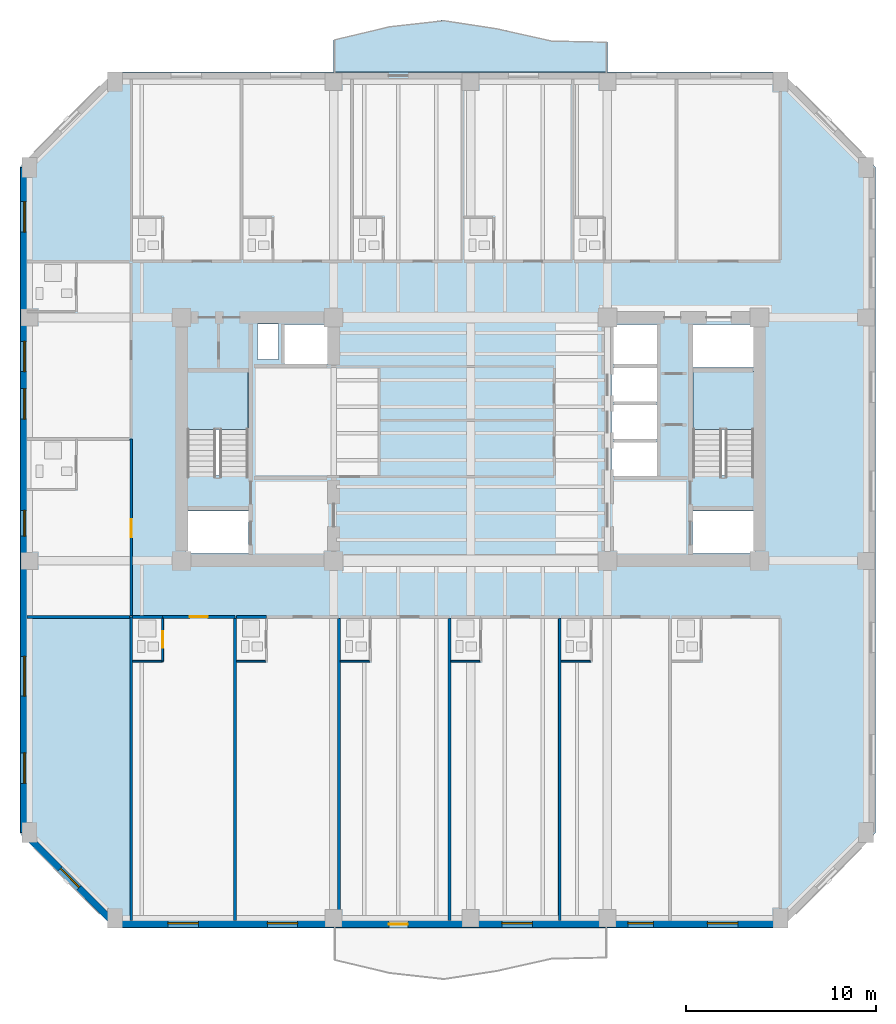
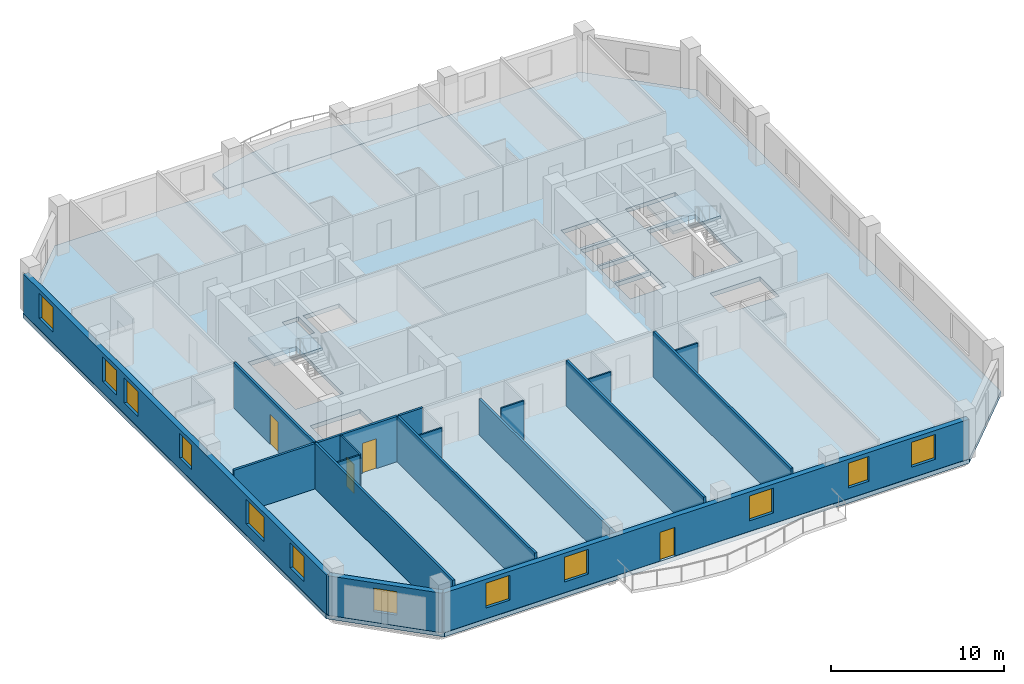
# One storey, part 2 of 11: 19 walls, 12 windows, 4 doors, 4 slabs, 16 openings, 2 elements without a shape of their own.
"""IFC4 building model written with IfcOpenShell, lengths in metres."""

from ifc_helpers import new_model, si_unit, direction, frame, frame_2d, origin, place, context, subcontext, project, spatial, polyline, rectangle, outline, extrude, material, layer, layer_set, type_object, element, fill, aggregate, save


model = new_model("IFC4")

# Units and contexts
model_context = context("Model", 3, precision=1e-05, world=origin(), true_north=direction((0.0, 1.0)))
body_context = subcontext(model_context, "Body", "Model", "MODEL_VIEW")
ifc_project = project(units=[si_unit("LENGTHUNIT", "METRE"), si_unit("AREAUNIT", "SQUARE_METRE"), si_unit("VOLUMEUNIT", "CUBIC_METRE"), si_unit("PLANEANGLEUNIT", "RADIAN"), si_unit("MASSUNIT", "GRAM", prefix="KILO")], contexts=[model_context])

# Site, building, storey
site_placement = place(None, origin())
site = spatial("IfcSite", under=ifc_project, at=site_placement, CompositionType="ELEMENT")
building_placement = place(site_placement, origin())
building = spatial("IfcBuilding", under=site, at=building_placement, Name="Kranthara Brick Stack", CompositionType="ELEMENT")
storey_placement = place(building_placement, frame((0.0, 0.0, 134.300048828125)))
storey = spatial("IfcBuildingStorey", under=building, at=storey_placement, Name="L33", CompositionType="ELEMENT", Elevation=134.300048828125)

# Slab
ifc_material_1 = material(Name="Concrete C45/55", Category="concrete")
ifc_layer_1 = layer(ifc_material_1, 0.219970703125)
ifc_layer_set_1 = layer_set([ifc_layer_1], Name="Concrete C45/55")
slab_type_1 = type_object("IfcSlabType", Name="SLB-BALC-220", PredefinedType="FLOOR", material=ifc_layer_set_1)
slab_1_placement = place(storey_placement, frame((0.0, 0.0, -0.219970703125)))
element("IfcSlab", 1, at=slab_1_placement, inside=storey, type_object=slab_type_1, Name="L33 North Rippling Balcony Slab", PredefinedType="FLOOR", context=body_context, shape_type="SweptSolid", body=[
    extrude(outline(polyline([(35.199951171875, 46.5), (20.800048828125, 46.5), (20.800048828125, 48.206787109375), (23.679931640625, 48.901123046875), (26.56005859375, 49.248046875), (29.43994140625, 48.8115234375), (32.320068359375, 48.140380859375), (35.199951171875, 48.07861328125), (35.199951171875, 46.5)])), origin(), (0.0, 0.0, 1.0), 0.219970703125),
])

# Stair, slab
ifc_material_2 = material(Name="Concrete C45/55", Category="concrete")
stair_type = type_object("IfcStairType", Name="ST-CORE-20R", PredefinedType="HALF_TURN_STAIR", material=ifc_material_2)
stair_1_placement = place(storey_placement, origin())
stair_1 = element("IfcStair", 2, at=stair_1_placement, inside=storey, type_object=stair_type, Name="L33 West Core Protected Exit Stair ST01", PredefinedType="HALF_TURN_STAIR")
ifc_material_3 = material(Name="Concrete C45/55", Category="concrete")
ifc_layer_2 = layer(ifc_material_3, 0.199951171875)
ifc_layer_set_2 = layer_set([ifc_layer_2], Name="Concrete C45/55")
slab_type_2 = type_object("IfcSlabType", Name="SLB-LANDING-200", PredefinedType="LANDING", material=ifc_layer_set_2)
slab_2_placement = place(storey_placement, frame((0.0, 0.0, 1.550048828125)))
slab_2 = element("IfcSlab", 3, at=slab_2_placement, type_object=slab_type_2, Name="ST01 landing 1", PredefinedType="LANDING", context=body_context, shape_type="SweptSolid", body=[
    extrude(outline(polyline([(16.300048828125, 27.719970703125), (16.300048828125, 30.75), (13.10009765625, 30.75), (13.10009765625, 27.719970703125), (16.300048828125, 27.719970703125)])), origin(), (0.0, 0.0, 1.0), 0.199951171875),
])
aggregate(stair_1, [slab_2])

stair_2_placement = place(storey_placement, origin())
stair_2 = element("IfcStair", 4, at=stair_2_placement, inside=storey, type_object=stair_type, Name="L33 East Core Protected Exit Stair ST02", PredefinedType="HALF_TURN_STAIR")
slab_3_placement = place(storey_placement, frame((0.0, 0.0, 1.550048828125)))
slab_3 = element("IfcSlab", 5, at=slab_3_placement, type_object=slab_type_2, Name="ST02 landing 1", PredefinedType="LANDING", context=body_context, shape_type="SweptSolid", body=[
    extrude(outline(polyline([(42.89990234375, 27.719970703125), (42.89990234375, 30.75), (39.699951171875, 30.75), (39.699951171875, 27.719970703125), (42.89990234375, 27.719970703125)])), origin(), (0.0, 0.0, 1.0), 0.199951171875),
])
aggregate(stair_2, [slab_3])

# Slab
ifc_material_4 = material(Name="Post-tensioned concrete C45/55", Category="concrete")
ifc_layer_3 = layer(ifc_material_4, 0.300048828125)
ifc_layer_set_3 = layer_set([ifc_layer_3], Name="Post-tensioned concrete C45/55")
slab_type_3 = type_object("IfcSlabType", Name="SLB-TWR-300", PredefinedType="FLOOR", material=ifc_layer_set_3)
slab_4_placement = place(storey_placement, frame((0.0, 0.0, -0.300048828125)))
element("IfcSlab", 6, at=slab_4_placement, inside=storey, type_object=slab_type_3, Name="L33 Structural Floor Plate", PredefinedType="FLOOR", context=body_context, shape_type="SweptSolid", body=[
    extrude(outline(polyline([(9.300048828125, 1.5), (44.300048828125, 1.5), (49.300048828125, 6.5), (49.300048828125, 41.5), (44.300048828125, 46.5), (9.300048828125, 46.5), (4.300048828125, 41.5), (4.300048828125, 6.5), (9.300048828125, 1.5)]), holes=[polyline([(13.10009765625, 25.280029296875), (16.300048828125, 25.280029296875), (16.300048828125, 30.75), (13.10009765625, 30.75), (13.10009765625, 25.280029296875)]), polyline([(39.699951171875, 25.280029296875), (42.89990234375, 25.280029296875), (42.89990234375, 30.75), (39.699951171875, 30.75), (39.699951171875, 25.280029296875)]), polyline([(13.0, 21.179931640625), (16.320068359375, 21.179931640625), (16.320068359375, 23.419921875), (13.0, 23.419921875), (13.0, 21.179931640625)]), polyline([(39.679931640625, 21.179931640625), (43.0, 21.179931640625), (43.0, 23.419921875), (39.679931640625, 23.419921875), (39.679931640625, 21.179931640625)]), polyline([(39.679931640625, 30.97998046875), (43.0, 30.97998046875), (43.0, 33.219970703125), (39.679931640625, 33.219970703125), (39.679931640625, 30.97998046875)]), polyline([(35.39990234375, 25.25), (37.800048828125, 25.25), (37.800048828125, 27.050048828125), (35.39990234375, 27.050048828125), (35.39990234375, 25.25)]), polyline([(35.39990234375, 27.199951171875), (37.800048828125, 27.199951171875), (37.800048828125, 29.0), (35.39990234375, 29.0), (35.39990234375, 27.199951171875)]), polyline([(35.39990234375, 29.14990234375), (37.800048828125, 29.14990234375), (37.800048828125, 30.949951171875), (35.39990234375, 30.949951171875), (35.39990234375, 29.14990234375)]), polyline([(18.199951171875, 31.14990234375), (20.60009765625, 31.14990234375), (20.60009765625, 33.219970703125), (18.199951171875, 33.219970703125), (18.199951171875, 31.14990234375)]), polyline([(35.39990234375, 31.14990234375), (37.800048828125, 31.14990234375), (37.800048828125, 33.219970703125), (35.39990234375, 33.219970703125), (35.39990234375, 31.14990234375)]), polyline([(16.800048828125, 31.39990234375), (17.89990234375, 31.39990234375), (17.89990234375, 33.25), (16.800048828125, 33.25), (16.800048828125, 31.39990234375)])]), origin(), (0.0, 0.0, 1.0), 0.300048828125),
])

# Wall, openings, door, windows
ifc_material_5 = material(Name="Kiln-fired clay brick masonry M15", Category="masonry")
ifc_layer_4 = layer(ifc_material_5, 0.35009765625)
ifc_layer_set_4 = layer_set([ifc_layer_4], Name="Kiln-fired clay brick masonry M15")
wall_type_1 = type_object("IfcWallType", Name="WL-BRK-SPND-350", PredefinedType="STANDARD", material=ifc_layer_set_4)
wall_1_placement = place(storey_placement, frame((44.300048828125, 1.695068359375, 0.0), z_axis=(0.0, 0.0, 1.0), x_axis=(-1.0, 0.0, 0.0)))
wall_1 = element("IfcWall", 7, at=wall_1_placement, inside=storey, type_object=wall_type_1, Name="L33 Exterior Brick Facade Wall SOUTH 1", PredefinedType="STANDARD", context=body_context, shape_type="SweptSolid", body=[
    extrude(rectangle(XDim=35.0, YDim=0.35009765625, at=frame_2d((17.5, 0.0))), origin(), (0.0, 0.0, 1.0), 2.784912109375),
])
opening_1_placement = place(wall_1_placement, frame((19.60009765625, 0.0, 0.0)))
opening_1 = element("IfcOpeningElement", 8, at=opening_1_placement, cuts=wall_1, Name="Opening D03", PredefinedType="OPENING", context=body_context, shape_type="SweptSolid", body=[
    extrude(rectangle(XDim=1.0, YDim=2.02001953125, at=frame_2d((0.5, 1.010009765625))), frame((0.0, 0.18505859375, 0.0), z_axis=(0.0, -1.0, 0.0), x_axis=(1.0, 0.0, 0.0)), (0.0, 0.0, 1.0), 0.3701171875),
])
opening_2_placement = place(wall_1_placement, frame((2.239990234375, 0.0, 0.75)))
opening_2 = element("IfcOpeningElement", 9, at=opening_2_placement, cuts=wall_1, Name="Opening WN04", PredefinedType="OPENING", context=body_context, shape_type="SweptSolid", body=[
    extrude(rectangle(XDim=1.60009765625, YDim=1.75, at=frame_2d((0.800048828125, 0.875))), frame((0.0, 0.18505859375, 0.0), z_axis=(0.0, -1.0, 0.0), x_axis=(1.0, 0.0, 0.0)), (0.0, 0.0, 1.0), 0.3701171875),
])
opening_3_placement = place(wall_1_placement, frame((6.677978515625, 0.0, 0.75)))
opening_3 = element("IfcOpeningElement", 10, at=opening_3_placement, cuts=wall_1, Name="Opening WN06", PredefinedType="OPENING", context=body_context, shape_type="SweptSolid", body=[
    extrude(rectangle(XDim=1.35009765625, YDim=1.75, at=frame_2d((0.675048828125, 0.875))), frame((0.0, 0.18505859375, 0.0), z_axis=(0.0, -1.0, 0.0), x_axis=(1.0, 0.0, 0.0)), (0.0, 0.0, 1.0), 0.3701171875),
])
opening_4_placement = place(wall_1_placement, frame((13.054931640625, 0.0, 0.75)))
opening_4 = element("IfcOpeningElement", 11, at=opening_4_placement, cuts=wall_1, Name="Opening WN04", PredefinedType="OPENING", context=body_context, shape_type="SweptSolid", body=[
    extrude(rectangle(XDim=1.60009765625, YDim=1.75, at=frame_2d((0.800048828125, 0.875))), frame((0.0, 0.18505859375, 0.0), z_axis=(0.0, -1.0, 0.0), x_axis=(1.0, 0.0, 0.0)), (0.0, 0.0, 1.0), 0.3701171875),
])
opening_5_placement = place(wall_1_placement, frame((25.39306640625, 0.0, 0.75)))
opening_5 = element("IfcOpeningElement", 12, at=opening_5_placement, cuts=wall_1, Name="Opening WN04", PredefinedType="OPENING", context=body_context, shape_type="SweptSolid", body=[
    extrude(rectangle(XDim=1.60009765625, YDim=1.75, at=frame_2d((0.800048828125, 0.875))), frame((0.0, 0.18505859375, 0.0), z_axis=(0.0, -1.0, 0.0), x_axis=(1.0, 0.0, 0.0)), (0.0, 0.0, 1.0), 0.3701171875),
])
opening_6_placement = place(wall_1_placement, frame((30.617919921875, 0.0, 0.75)))
opening_6 = element("IfcOpeningElement", 13, at=opening_6_placement, cuts=wall_1, Name="Opening WN04", PredefinedType="OPENING", context=body_context, shape_type="SweptSolid", body=[
    extrude(rectangle(XDim=1.60009765625, YDim=1.75, at=frame_2d((0.800048828125, 0.875))), frame((0.0, 0.18505859375, 0.0), z_axis=(0.0, -1.0, 0.0), x_axis=(1.0, 0.0, 0.0)), (0.0, 0.0, 1.0), 0.3701171875),
])
ifc_material_6 = material(Name="Bronze anodised aluminium and laminated glass", Category="aluminium")
door_type_1 = type_object("IfcDoorType", Name="DR-BALC-1000", OperationType="NOTDEFINED", PredefinedType="DOOR", material=ifc_material_6)
door_1_placement = place(opening_1_placement, origin())
door_1 = element("IfcDoor", 14, at=door_1_placement, inside=storey, type_object=door_type_1, Name="L33 South Balcony Terrace Door", OperationType="SINGLE_SWING_LEFT", OverallHeight=2.02001953125, OverallWidth=1.0, PredefinedType="DOOR", context=body_context, shape_type="SweptSolid", body=[
    extrude(rectangle(XDim=1.0, YDim=2.02001953125, at=frame_2d((0.5, 1.010009765625))), frame((0.0, 0.02490234375, 0.0), z_axis=(0.0, -1.0, 0.0), x_axis=(1.0, 0.0, 0.0)), (0.0, 0.0, 1.0), 0.050048828125),
])
fill(opening_1, door_1)
ifc_material_7 = material(Name="Double-glazed low-E solar control glass", Category="glass")
window_type_1 = type_object("IfcWindowType", Name="WN-HTL-1350x1850", PartitioningType="SINGLE_PANEL", PredefinedType="WINDOW", material=ifc_material_7)
window_1_placement = place(opening_3_placement, origin())
window_1 = element("IfcWindow", 15, at=window_1_placement, inside=storey, type_object=window_type_1, Name="L33 South Deep-Set Brick Window 02", OverallHeight=1.75, OverallWidth=1.35009765625, PartitioningType="SINGLE_PANEL", PredefinedType="WINDOW", context=body_context, shape_type="SweptSolid", body=[
    extrude(rectangle(XDim=1.35009765625, YDim=1.75, at=frame_2d((0.675048828125, 0.875))), frame((0.0, -0.010009765625, 0.0), z_axis=(0.0, -1.0, 0.0), x_axis=(1.0, 0.0, 0.0)), (0.0, 0.0, 1.0), 0.06005859375),
])
fill(opening_3, window_1)
ifc_material_8 = material(Name="Double-glazed low-E solar control glass", Category="glass")
window_type_2 = type_object("IfcWindowType", Name="WN-HTL-1600x1850", PartitioningType="DOUBLE_PANEL_VERTICAL", PredefinedType="WINDOW", material=ifc_material_8)
window_2_placement = place(opening_2_placement, origin())
window_2 = element("IfcWindow", 16, at=window_2_placement, inside=storey, type_object=window_type_2, Name="L33 South Deep-Set Brick Window 01", OverallHeight=1.75, OverallWidth=1.60009765625, PartitioningType="SINGLE_PANEL", PredefinedType="WINDOW", context=body_context, shape_type="SweptSolid", body=[
    extrude(rectangle(XDim=1.60009765625, YDim=1.75, at=frame_2d((0.800048828125, 0.875))), frame((0.0, -0.010009765625, 0.0), z_axis=(0.0, -1.0, 0.0), x_axis=(1.0, 0.0, 0.0)), (0.0, 0.0, 1.0), 0.06005859375),
])
fill(opening_2, window_2)
window_3_placement = place(opening_4_placement, origin())
window_3 = element("IfcWindow", 17, at=window_3_placement, inside=storey, type_object=window_type_2, Name="L33 South Deep-Set Brick Window 03", OverallHeight=1.75, OverallWidth=1.60009765625, PartitioningType="SINGLE_PANEL", PredefinedType="WINDOW", context=body_context, shape_type="SweptSolid", body=[
    extrude(rectangle(XDim=1.60009765625, YDim=1.75, at=frame_2d((0.800048828125, 0.875))), frame((0.0, -0.010009765625, 0.0), z_axis=(0.0, -1.0, 0.0), x_axis=(1.0, 0.0, 0.0)), (0.0, 0.0, 1.0), 0.06005859375),
])
fill(opening_4, window_3)
window_4_placement = place(opening_5_placement, origin())
window_4 = element("IfcWindow", 18, at=window_4_placement, inside=storey, type_object=window_type_2, Name="L33 South Deep-Set Brick Window 04", OverallHeight=1.75, OverallWidth=1.60009765625, PartitioningType="SINGLE_PANEL", PredefinedType="WINDOW", context=body_context, shape_type="SweptSolid", body=[
    extrude(rectangle(XDim=1.60009765625, YDim=1.75, at=frame_2d((0.800048828125, 0.875))), frame((0.0, -0.010009765625, 0.0), z_axis=(0.0, -1.0, 0.0), x_axis=(1.0, 0.0, 0.0)), (0.0, 0.0, 1.0), 0.06005859375),
])
fill(opening_5, window_4)
window_5_placement = place(opening_6_placement, origin())
window_5 = element("IfcWindow", 19, at=window_5_placement, inside=storey, type_object=window_type_2, Name="L33 South Deep-Set Brick Window 05", OverallHeight=1.75, OverallWidth=1.60009765625, PartitioningType="SINGLE_PANEL", PredefinedType="WINDOW", context=body_context, shape_type="SweptSolid", body=[
    extrude(rectangle(XDim=1.60009765625, YDim=1.75, at=frame_2d((0.800048828125, 0.875))), frame((0.0, -0.010009765625, 0.0), z_axis=(0.0, -1.0, 0.0), x_axis=(1.0, 0.0, 0.0)), (0.0, 0.0, 1.0), 0.06005859375),
])
fill(opening_6, window_5)

# Wall, opening, window
wall_2_placement = place(storey_placement, frame((9.300048828125, 1.695068359375, 0.0), z_axis=(0.0, 0.0, 1.0), x_axis=(-0.707106781187, 0.707106781187, 0.0)))
wall_2 = element("IfcWall", 20, at=wall_2_placement, inside=storey, type_object=wall_type_1, Name="L33 Exterior Brick Facade Wall SW 1", PredefinedType="STANDARD", context=body_context, shape_type="SweptSolid", body=[
    extrude(rectangle(XDim=6.795166015625, YDim=0.35009765625, at=frame_2d((3.3974609375, 0.0))), origin(), (0.0, 0.0, 1.0), 2.784912109375),
])
opening_7_placement = place(wall_2_placement, frame((2.697998046875, 0.0, 0.75)))
opening_7 = element("IfcOpeningElement", 21, at=opening_7_placement, cuts=wall_2, Name="Opening WN10", PredefinedType="OPENING", context=body_context, shape_type="SweptSolid", body=[
    extrude(rectangle(XDim=1.39990234375, YDim=1.64990234375, at=frame_2d((0.699951171875, 0.824951171875))), frame((0.0, 0.18505859375, 0.0), z_axis=(0.0, -1.0, 0.0), x_axis=(1.0, 0.0, 0.0)), (0.0, 0.0, 1.0), 0.3701171875),
])
ifc_material_9 = material(Name="Double-glazed low-E solar control glass", Category="glass")
window_type_3 = type_object("IfcWindowType", Name="WN-CHM-1400x1750", PartitioningType="SINGLE_PANEL", PredefinedType="WINDOW", material=ifc_material_9)
window_6_placement = place(opening_7_placement, origin())
window_6 = element("IfcWindow", 22, at=window_6_placement, inside=storey, type_object=window_type_3, Name="L33 SW Chamfer Corner Window", OverallHeight=1.64990234375, OverallWidth=1.39990234375, PartitioningType="SINGLE_PANEL", PredefinedType="WINDOW", context=body_context, shape_type="SweptSolid", body=[
    extrude(rectangle(XDim=1.39990234375, YDim=1.64990234375, at=frame_2d((0.699951171875, 0.824951171875))), frame((0.0, -0.010009765625, 0.0), z_axis=(0.0, -1.0, 0.0), x_axis=(1.0, 0.0, 0.0)), (0.0, 0.0, 1.0), 0.06005859375),
])
fill(opening_7, window_6)

# Wall, openings, windows
wall_3_placement = place(storey_placement, frame((4.4951171875, 6.5, 0.0), z_axis=(0.0, 0.0, 1.0), x_axis=(0.0, 1.0, 0.0)))
wall_3 = element("IfcWall", 23, at=wall_3_placement, inside=storey, type_object=wall_type_1, Name="L33 Exterior Brick Facade Wall WEST 1", PredefinedType="STANDARD", context=body_context, shape_type="SweptSolid", body=[
    extrude(rectangle(XDim=35.0, YDim=0.35009765625, at=frame_2d((17.5, 0.0))), origin(), (0.0, 0.0, 1.0), 2.784912109375),
])
opening_8_placement = place(wall_3_placement, frame((2.594970703125, 0.0, 0.75)))
opening_8 = element("IfcOpeningElement", 24, at=opening_8_placement, cuts=wall_3, Name="Opening WN04", PredefinedType="OPENING", context=body_context, shape_type="SweptSolid", body=[
    extrude(rectangle(XDim=1.60009765625, YDim=1.75, at=frame_2d((0.800048828125, 0.875))), frame((0.0, 0.18505859375, 0.0), z_axis=(0.0, -1.0, 0.0), x_axis=(1.0, 0.0, 0.0)), (0.0, 0.0, 1.0), 0.3701171875),
])
opening_9_placement = place(wall_3_placement, frame((7.180908203125, 0.0, 0.75)))
opening_9 = element("IfcOpeningElement", 25, at=opening_9_placement, cuts=wall_3, Name="Opening WN05", PredefinedType="OPENING", context=body_context, shape_type="SweptSolid", body=[
    extrude(rectangle(XDim=2.10009765625, YDim=1.75, at=frame_2d((1.050048828125, 0.875))), frame((0.0, 0.18505859375, 0.0), z_axis=(0.0, -1.0, 0.0), x_axis=(1.0, 0.0, 0.0)), (0.0, 0.0, 1.0), 0.3701171875),
])
opening_10_placement = place(wall_3_placement, frame((15.60009765625, 0.0, 0.75)))
opening_10 = element("IfcOpeningElement", 26, at=opening_10_placement, cuts=wall_3, Name="Opening WN06", PredefinedType="OPENING", context=body_context, shape_type="SweptSolid", body=[
    extrude(rectangle(XDim=1.35009765625, YDim=1.75, at=frame_2d((0.675048828125, 0.875))), frame((0.0, 0.18505859375, 0.0), z_axis=(0.0, -1.0, 0.0), x_axis=(1.0, 0.0, 0.0)), (0.0, 0.0, 1.0), 0.3701171875),
])
opening_11_placement = place(wall_3_placement, frame((21.751953125, 0.0, 0.75)))
opening_11 = element("IfcOpeningElement", 27, at=opening_11_placement, cuts=wall_3, Name="Opening WN04", PredefinedType="OPENING", context=body_context, shape_type="SweptSolid", body=[
    extrude(rectangle(XDim=1.60009765625, YDim=1.75, at=frame_2d((0.800048828125, 0.875))), frame((0.0, 0.18505859375, 0.0), z_axis=(0.0, -1.0, 0.0), x_axis=(1.0, 0.0, 0.0)), (0.0, 0.0, 1.0), 0.3701171875),
])
opening_12_placement = place(wall_3_placement, frame((24.248046875, 0.0, 0.75)))
opening_12 = element("IfcOpeningElement", 28, at=opening_12_placement, cuts=wall_3, Name="Opening WN04", PredefinedType="OPENING", context=body_context, shape_type="SweptSolid", body=[
    extrude(rectangle(XDim=1.60009765625, YDim=1.75, at=frame_2d((0.800048828125, 0.875))), frame((0.0, 0.18505859375, 0.0), z_axis=(0.0, -1.0, 0.0), x_axis=(1.0, 0.0, 0.0)), (0.0, 0.0, 1.0), 0.3701171875),
])
opening_13_placement = place(wall_3_placement, frame((31.587890625, 0.0, 0.75)))
opening_13 = element("IfcOpeningElement", 29, at=opening_13_placement, cuts=wall_3, Name="Opening WN04", PredefinedType="OPENING", context=body_context, shape_type="SweptSolid", body=[
    extrude(rectangle(XDim=1.60009765625, YDim=1.75, at=frame_2d((0.800048828125, 0.875))), frame((0.0, 0.18505859375, 0.0), z_axis=(0.0, -1.0, 0.0), x_axis=(1.0, 0.0, 0.0)), (0.0, 0.0, 1.0), 0.3701171875),
])
window_7_placement = place(opening_10_placement, origin())
window_7 = element("IfcWindow", 30, at=window_7_placement, inside=storey, type_object=window_type_1, Name="L33 West Deep-Set Brick Window 03", OverallHeight=1.75, OverallWidth=1.35009765625, PartitioningType="SINGLE_PANEL", PredefinedType="WINDOW", context=body_context, shape_type="SweptSolid", body=[
    extrude(rectangle(XDim=1.35009765625, YDim=1.75, at=frame_2d((0.675048828125, 0.875))), frame((0.0, -0.010009765625, 0.0), z_axis=(0.0, -1.0, 0.0), x_axis=(1.0, 0.0, 0.0)), (0.0, 0.0, 1.0), 0.06005859375),
])
fill(opening_10, window_7)
window_8_placement = place(opening_8_placement, origin())
window_8 = element("IfcWindow", 31, at=window_8_placement, inside=storey, type_object=window_type_2, Name="L33 West Deep-Set Brick Window 01", OverallHeight=1.75, OverallWidth=1.60009765625, PartitioningType="SINGLE_PANEL", PredefinedType="WINDOW", context=body_context, shape_type="SweptSolid", body=[
    extrude(rectangle(XDim=1.60009765625, YDim=1.75, at=frame_2d((0.800048828125, 0.875))), frame((0.0, -0.010009765625, 0.0), z_axis=(0.0, -1.0, 0.0), x_axis=(1.0, 0.0, 0.0)), (0.0, 0.0, 1.0), 0.06005859375),
])
fill(opening_8, window_8)
window_9_placement = place(opening_11_placement, origin())
window_9 = element("IfcWindow", 32, at=window_9_placement, inside=storey, type_object=window_type_2, Name="L33 West Deep-Set Brick Window 04", OverallHeight=1.75, OverallWidth=1.60009765625, PartitioningType="SINGLE_PANEL", PredefinedType="WINDOW", context=body_context, shape_type="SweptSolid", body=[
    extrude(rectangle(XDim=1.60009765625, YDim=1.75, at=frame_2d((0.800048828125, 0.875))), frame((0.0, -0.010009765625, 0.0), z_axis=(0.0, -1.0, 0.0), x_axis=(1.0, 0.0, 0.0)), (0.0, 0.0, 1.0), 0.06005859375),
])
fill(opening_11, window_9)
window_10_placement = place(opening_12_placement, origin())
window_10 = element("IfcWindow", 33, at=window_10_placement, inside=storey, type_object=window_type_2, Name="L33 West Deep-Set Brick Window 05", OverallHeight=1.75, OverallWidth=1.60009765625, PartitioningType="SINGLE_PANEL", PredefinedType="WINDOW", context=body_context, shape_type="SweptSolid", body=[
    extrude(rectangle(XDim=1.60009765625, YDim=1.75, at=frame_2d((0.800048828125, 0.875))), frame((0.0, -0.010009765625, 0.0), z_axis=(0.0, -1.0, 0.0), x_axis=(1.0, 0.0, 0.0)), (0.0, 0.0, 1.0), 0.06005859375),
])
fill(opening_12, window_10)
window_11_placement = place(opening_13_placement, origin())
window_11 = element("IfcWindow", 34, at=window_11_placement, inside=storey, type_object=window_type_2, Name="L33 West Deep-Set Brick Window 06", OverallHeight=1.75, OverallWidth=1.60009765625, PartitioningType="SINGLE_PANEL", PredefinedType="WINDOW", context=body_context, shape_type="SweptSolid", body=[
    extrude(rectangle(XDim=1.60009765625, YDim=1.75, at=frame_2d((0.800048828125, 0.875))), frame((0.0, -0.010009765625, 0.0), z_axis=(0.0, -1.0, 0.0), x_axis=(1.0, 0.0, 0.0)), (0.0, 0.0, 1.0), 0.06005859375),
])
fill(opening_13, window_11)
ifc_material_10 = material(Name="Double-glazed low-E solar control glass", Category="glass")
window_type_4 = type_object("IfcWindowType", Name="WN-HTL-2100x1850", PartitioningType="DOUBLE_PANEL_VERTICAL", PredefinedType="WINDOW", material=ifc_material_10)
window_12_placement = place(opening_9_placement, origin())
window_12 = element("IfcWindow", 35, at=window_12_placement, inside=storey, type_object=window_type_4, Name="L33 West Deep-Set Brick Window 02", OverallHeight=1.75, OverallWidth=2.10009765625, PartitioningType="SINGLE_PANEL", PredefinedType="WINDOW", context=body_context, shape_type="SweptSolid", body=[
    extrude(rectangle(XDim=2.10009765625, YDim=1.75, at=frame_2d((1.050048828125, 0.875))), frame((0.0, -0.010009765625, 0.0), z_axis=(0.0, -1.0, 0.0), x_axis=(1.0, 0.0, 0.0)), (0.0, 0.0, 1.0), 0.06005859375),
])
fill(opening_9, window_12)

# Wall, opening, door
ifc_material_11 = material(Name="Moisture-resistant wet-room partition", Category="other")
ifc_layer_5 = layer(ifc_material_11, 0.10009765625)
ifc_layer_set_5 = layer_set([ifc_layer_5], Name="Moisture-resistant wet-room partition")
wall_type_2 = type_object("IfcWallType", Name="WL-PART-100", PredefinedType="PARTITIONING", material=ifc_layer_set_5)
wall_4_placement = place(storey_placement, frame((11.800048828125, 15.52001953125, 0.0), z_axis=(0.0, 0.0, 1.0), x_axis=(0.0, 1.0, 0.0)))
wall_4 = element("IfcWall", 36, at=wall_4_placement, inside=storey, type_object=wall_type_2, Name="L33 Interior Partition 012", PredefinedType="PARTITIONING", context=body_context, shape_type="SweptSolid", body=[
    extrude(rectangle(XDim=2.25, YDim=0.10009765625, at=frame_2d((1.125, 0.0))), origin(), (0.0, 0.0, 1.0), 3.199951171875),
])
opening_14_placement = place(wall_4_placement, frame((0.719970703125, 0.0, 0.0)))
opening_14 = element("IfcOpeningElement", 37, at=opening_14_placement, cuts=wall_4, Name="Opening D17", PredefinedType="OPENING", context=body_context, shape_type="SweptSolid", body=[
    extrude(rectangle(XDim=0.85009765625, YDim=2.050048828125, at=frame_2d((0.425048828125, 1.02490234375))), frame((0.0, 0.06005859375, 0.0), z_axis=(0.0, -1.0, 0.0), x_axis=(1.0, 0.0, 0.0)), (0.0, 0.0, 1.0), 0.1201171875),
])
ifc_material_12 = material(Name="Solid-core hardwood timber leaf in steel frame", Category="steel")
door_type_2 = type_object("IfcDoorType", Name="DR-WET-850", OperationType="NOTDEFINED", PredefinedType="DOOR", material=ifc_material_12)
door_2_placement = place(opening_14_placement, origin())
door_2 = element("IfcDoor", 38, at=door_2_placement, inside=storey, type_object=door_type_2, Name="L33 Key 01 En-Suite Door 07", OperationType="SINGLE_SWING_LEFT", OverallHeight=2.050048828125, OverallWidth=0.85009765625, PredefinedType="DOOR", context=body_context, shape_type="SweptSolid", body=[
    extrude(rectangle(XDim=0.85009765625, YDim=2.050048828125, at=frame_2d((0.425048828125, 1.02490234375))), frame((0.0, 0.02490234375, 0.0), z_axis=(0.0, -1.0, 0.0), x_axis=(1.0, 0.0, 0.0)), (0.0, 0.0, 1.0), 0.050048828125),
])
fill(opening_14, door_2)

# Walls
wall_5_placement = place(storey_placement, frame((10.22998046875, 15.52001953125, 0.0), z_axis=(0.0, 0.0, 1.0), x_axis=(1.0, 0.0, 0.0)))
element("IfcWall", 39, at=wall_5_placement, inside=storey, type_object=wall_type_2, Name="L33 Interior Partition 013", PredefinedType="PARTITIONING", context=body_context, shape_type="SweptSolid", body=[
    extrude(rectangle(XDim=1.51513671875, YDim=0.10009765625, at=frame_2d((0.757568359375, 0.0))), origin(), (0.0, 0.0, 1.0), 3.199951171875),
])
wall_6_placement = place(storey_placement, frame((15.694091796875, 15.52001953125, 0.0), z_axis=(0.0, 0.0, 1.0), x_axis=(1.0, 0.0, 0.0)))
element("IfcWall", 40, at=wall_6_placement, inside=storey, type_object=wall_type_2, Name="L33 Interior Partition 018", PredefinedType="PARTITIONING", context=body_context, shape_type="SweptSolid", body=[
    extrude(rectangle(XDim=1.514892578125, YDim=0.10009765625, at=frame_2d((0.75732421875, 0.0))), origin(), (0.0, 0.0, 1.0), 3.199951171875),
])
for number, where, z_axis, x_axis, name in (
    (41, (21.157958984375, 15.52001953125, 0.0), (0.0, 0.0, 1.0), (1.0, 0.0, 0.0), "L33 Interior Partition 023"),
    (42, (26.962890625, 15.52001953125, 0.0), (0.0, 0.0, 1.0), (1.0, 0.0, 0.0), "L33 Interior Partition 028"),
):
    element("IfcWall", number, at=place(storey_placement, frame(where, z_axis=z_axis, x_axis=x_axis)), inside=storey, type_object=wall_type_2, Name=name, PredefinedType="PARTITIONING", context=body_context, shape_type="SweptSolid", body=[
        extrude(rectangle(XDim=1.51513671875, YDim=0.10009765625, at=frame_2d((0.757568359375, 0.0))), origin(), (0.0, 0.0, 1.0), 3.199951171875),
    ])
wall_7_placement = place(storey_placement, frame((32.76904296875, 15.52001953125, 0.0), z_axis=(0.0, 0.0, 1.0), x_axis=(1.0, 0.0, 0.0)))
element("IfcWall", 43, at=wall_7_placement, inside=storey, type_object=wall_type_2, Name="L33 Interior Partition 033", PredefinedType="PARTITIONING", context=body_context, shape_type="SweptSolid", body=[
    extrude(rectangle(XDim=1.514892578125, YDim=0.10009765625, at=frame_2d((0.75732421875, 0.0))), origin(), (0.0, 0.0, 1.0), 3.199951171875),
])
ifc_material_13 = material(Name="Fire-rated gypsum board partition", Category="other")
ifc_layer_6 = layer(ifc_material_13, 0.14990234375)
ifc_layer_set_6 = layer_set([ifc_layer_6], Name="Fire-rated gypsum board partition")
wall_type_3 = type_object("IfcWallType", Name="WL-PART-150", PredefinedType="PARTITIONING", material=ifc_layer_set_6)
wall_8_placement = place(storey_placement, frame((10.14990234375, 1.875, 0.0), z_axis=(0.0, 0.0, 1.0), x_axis=(0.0, 1.0, 0.0)))
element("IfcWall", 44, at=wall_8_placement, inside=storey, type_object=wall_type_3, Name="L33 Interior Partition 009", PredefinedType="PARTITIONING", context=body_context, shape_type="SweptSolid", body=[
    extrude(rectangle(XDim=15.97509765625, YDim=0.14990234375, at=frame_2d((7.987548828125, 0.0))), origin(), (0.0, 0.0, 1.0), 3.199951171875),
])
wall_9_placement = place(storey_placement, frame((10.22998046875, 17.85009765625, 0.0), z_axis=(0.0, 0.0, 1.0), x_axis=(1.0, 0.0, 0.0)))
element("IfcWall", 45, at=wall_9_placement, inside=storey, type_object=wall_type_3, Name="L33 Interior Partition 010", PredefinedType="PARTITIONING", context=body_context, shape_type="SweptSolid", body=[
    extrude(rectangle(XDim=1.570068359375, YDim=0.14990234375, at=frame_2d((0.78515625, 0.0))), origin(), (0.0, 0.0, 1.0), 3.199951171875),
])

# Wall, opening, door
wall_10_placement = place(storey_placement, frame((11.800048828125, 17.85009765625, 0.0), z_axis=(0.0, 0.0, 1.0), x_axis=(1.0, 0.0, 0.0)))
wall_10 = element("IfcWall", 46, at=wall_10_placement, inside=storey, type_object=wall_type_3, Name="L33 Interior Partition 011", PredefinedType="PARTITIONING", context=body_context, shape_type="SweptSolid", body=[
    extrude(rectangle(XDim=3.81396484375, YDim=0.14990234375, at=frame_2d((1.906982421875, 0.0))), origin(), (0.0, 0.0, 1.0), 3.199951171875),
])
opening_15_placement = place(wall_10_placement, frame((1.427001953125, 0.0, 0.0)))
opening_15 = element("IfcOpeningElement", 47, at=opening_15_placement, cuts=wall_10, Name="Opening D09", PredefinedType="OPENING", context=body_context, shape_type="SweptSolid", body=[
    extrude(rectangle(XDim=0.949951171875, YDim=2.10009765625, at=frame_2d((0.47509765625, 1.050048828125))), frame((0.0, 0.0849609375, 0.0), z_axis=(0.0, -1.0, 0.0), x_axis=(1.0, 0.0, 0.0)), (0.0, 0.0, 1.0), 0.169921875),
])
ifc_material_14 = material(Name="Solid-core hardwood timber leaf in steel frame", Category="steel")
door_type_3 = type_object("IfcDoorType", Name="DR-FD-950", OperationType="NOTDEFINED", PredefinedType="DOOR", material=ifc_material_14)
door_3_placement = place(opening_15_placement, origin())
door_3 = element("IfcDoor", 48, at=door_3_placement, inside=storey, type_object=door_type_3, Name="L33 Key 01 Entry 08", OperationType="SINGLE_SWING_RIGHT", OverallHeight=2.10009765625, OverallWidth=0.949951171875, PredefinedType="DOOR", context=body_context, shape_type="SweptSolid", body=[
    extrude(rectangle(XDim=0.949951171875, YDim=2.10009765625, at=frame_2d((0.47509765625, 1.050048828125))), frame((0.0, 0.02490234375, 0.0), z_axis=(0.0, -1.0, 0.0), x_axis=(1.0, 0.0, 0.0)), (0.0, 0.0, 1.0), 0.050048828125),
])
fill(opening_15, door_3)

# Walls
wall_11_placement = place(storey_placement, frame((15.614013671875, 1.875, 0.0), z_axis=(0.0, 0.0, 1.0), x_axis=(0.0, 1.0, 0.0)))
element("IfcWall", 49, at=wall_11_placement, inside=storey, type_object=wall_type_3, Name="L33 Interior Partition 014", PredefinedType="PARTITIONING", context=body_context, shape_type="SweptSolid", body=[
    extrude(rectangle(XDim=15.89501953125, YDim=0.14990234375, at=frame_2d((7.947509765625, 0.0))), origin(), (0.0, 0.0, 1.0), 3.199951171875),
])
wall_12_placement = place(storey_placement, frame((15.694091796875, 17.85009765625, 0.0), z_axis=(0.0, 0.0, 1.0), x_axis=(1.0, 0.0, 0.0)))
element("IfcWall", 50, at=wall_12_placement, inside=storey, type_object=wall_type_3, Name="L33 Interior Partition 015", PredefinedType="PARTITIONING", context=body_context, shape_type="SweptSolid", body=[
    extrude(rectangle(XDim=1.56982421875, YDim=0.14990234375, at=frame_2d((0.784912109375, 0.0))), origin(), (0.0, 0.0, 1.0), 3.199951171875),
])
wall_13_placement = place(storey_placement, frame((21.077880859375, 1.875, 0.0), z_axis=(0.0, 0.0, 1.0), x_axis=(0.0, 1.0, 0.0)))
element("IfcWall", 51, at=wall_13_placement, inside=storey, type_object=wall_type_3, Name="L33 Interior Partition 019", PredefinedType="PARTITIONING", context=body_context, shape_type="SweptSolid", body=[
    extrude(rectangle(XDim=15.89501953125, YDim=0.14990234375, at=frame_2d((7.947509765625, 0.0))), origin(), (0.0, 0.0, 1.0), 2.534912109375),
])
for number, where, z_axis, x_axis, name in (
    (52, (26.883056640625, 1.875, 0.0), (0.0, 0.0, 1.0), (0.0, 1.0, 0.0), "L33 Interior Partition 024"),
    (53, (32.68896484375, 1.875, 0.0), (0.0, 0.0, 1.0), (0.0, 1.0, 0.0), "L33 Interior Partition 029"),
):
    element("IfcWall", number, at=place(storey_placement, frame(where, z_axis=z_axis, x_axis=x_axis)), inside=storey, type_object=wall_type_3, Name=name, PredefinedType="PARTITIONING", context=body_context, shape_type="SweptSolid", body=[
        extrude(rectangle(XDim=15.89501953125, YDim=0.14990234375, at=frame_2d((7.947509765625, 0.0))), origin(), (0.0, 0.0, 1.0), 3.199951171875),
    ])
wall_14_placement = place(storey_placement, frame((4.675048828125, 17.85009765625, 0.0), z_axis=(0.0, 0.0, 1.0), x_axis=(1.0, 0.0, 0.0)))
element("IfcWall", 54, at=wall_14_placement, inside=storey, type_object=wall_type_3, Name="L33 Interior Partition 068", PredefinedType="PARTITIONING", context=body_context, shape_type="SweptSolid", body=[
    extrude(rectangle(XDim=5.39501953125, YDim=0.14990234375, at=frame_2d((2.697509765625, 0.0))), origin(), (0.0, 0.0, 1.0), 3.199951171875),
])

# Wall, opening, door
wall_15_placement = place(storey_placement, frame((10.14990234375, 17.929931640625, 0.0), z_axis=(0.0, 0.0, 1.0), x_axis=(0.0, 1.0, 0.0)))
wall_15 = element("IfcWall", 55, at=wall_15_placement, inside=storey, type_object=wall_type_3, Name="L33 Interior Partition 070", PredefinedType="PARTITIONING", context=body_context, shape_type="SweptSolid", body=[
    extrude(rectangle(XDim=9.27001953125, YDim=0.14990234375, at=frame_2d((4.635009765625, 0.0))), origin(), (0.0, 0.0, 1.0), 3.199951171875),
])
opening_16_placement = place(wall_15_placement, frame((4.114990234375, 0.0, 0.0)))
opening_16 = element("IfcOpeningElement", 56, at=opening_16_placement, cuts=wall_15, Name="Opening D09", PredefinedType="OPENING", context=body_context, shape_type="SweptSolid", body=[
    extrude(rectangle(XDim=0.949951171875, YDim=2.10009765625, at=frame_2d((0.47509765625, 1.050048828125))), frame((0.0, 0.0849609375, 0.0), z_axis=(0.0, -1.0, 0.0), x_axis=(1.0, 0.0, 0.0)), (0.0, 0.0, 1.0), 0.169921875),
])
door_4_placement = place(opening_16_placement, origin())
door_4 = element("IfcDoor", 57, at=door_4_placement, inside=storey, type_object=door_type_3, Name="L33 West Key 13 31", OperationType="SINGLE_SWING_LEFT", OverallHeight=2.10009765625, OverallWidth=0.949951171875, PredefinedType="DOOR", context=body_context, shape_type="SweptSolid", body=[
    extrude(rectangle(XDim=0.949951171875, YDim=2.10009765625, at=frame_2d((0.47509765625, 1.050048828125))), frame((0.0, 0.02490234375, 0.0), z_axis=(0.0, -1.0, 0.0), x_axis=(1.0, 0.0, 0.0)), (0.0, 0.0, 1.0), 0.050048828125),
])
fill(opening_16, door_4)

save(model, "model.ifc")
